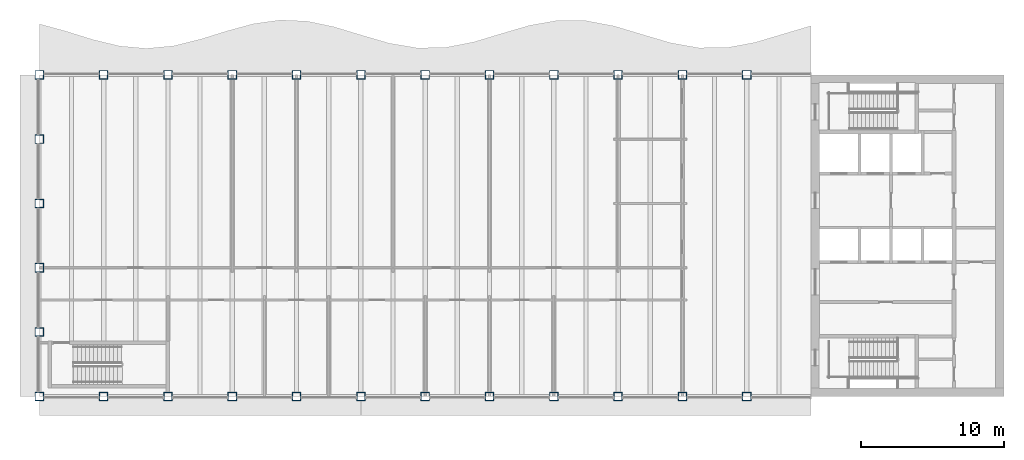
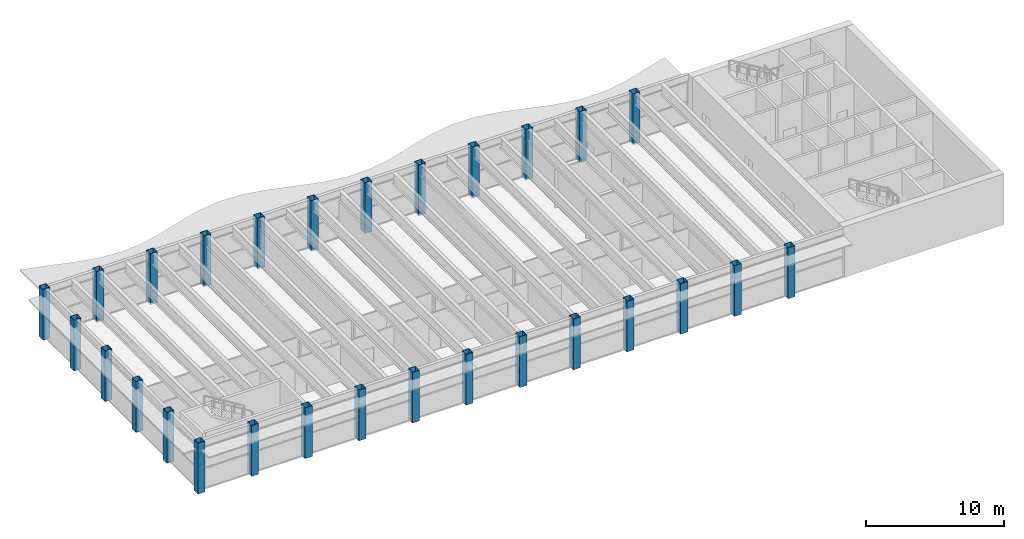
# One storey, part 1 of 14: 28 columns.
"""IFC4 building model written with IfcOpenShell, lengths in metres."""

from ifc_helpers import new_model, si_unit, direction, frame, origin, origin_2d, place, context, subcontext, project, spatial, hollow_rectangle, extrude, material, material_profile, profile_set, type_object, element, save


model = new_model("IFC4")

# Units and contexts
model_context = context("Model", 3, precision=1e-05, world=origin(), true_north=direction((0.0, 1.0)))
body_context = subcontext(model_context, "Body", "Model", "MODEL_VIEW")
ifc_project = project(units=[si_unit("LENGTHUNIT", "METRE"), si_unit("AREAUNIT", "SQUARE_METRE"), si_unit("VOLUMEUNIT", "CUBIC_METRE"), si_unit("PLANEANGLEUNIT", "RADIAN"), si_unit("MASSUNIT", "GRAM", prefix="KILO")], contexts=[model_context])

# Site, building, storey
site_placement = place(None, origin())
site = spatial("IfcSite", under=ifc_project, at=site_placement, CompositionType="ELEMENT")
building_placement = place(site_placement, origin())
building = spatial("IfcBuilding", under=site, at=building_placement, Name="Sennacour Bend Tower", CompositionType="ELEMENT")
storey_placement = place(building_placement, frame((0.0, 0.0, 336.5)))
storey = spatial("IfcBuildingStorey", under=building, at=storey_placement, Name="L77", CompositionType="ELEMENT", Elevation=336.5)

# Columns
ifc_material = material(Name="Steel ASTM A572 Grade 50", Category="steel")
ifc_material_profile = material_profile(ifc_material, hollow_rectangle(XDim=0.60009765625, YDim=0.60009765625, WallThickness=0.030029296875, at=origin_2d()), Name="Steel ASTM A572 Grade 50", Category="steel")
ifc_profile_set = profile_set([ifc_material_profile], Name="Steel ASTM A572 Grade 50")
column_type = type_object("IfcColumnType", Name="Box column 600", PredefinedType="COLUMN", material=ifc_profile_set)
for number, where, z_axis, x_axis, name in (
    (1, (0.0, 0.0, -0.14990234375), (0.0, 0.0, 1.0), (1.0, 0.0, 0.0), "Perimeter column C6 L77-001"),
    (2, (0.0, 4.5, -0.14990234375), (0.0, 0.0, 1.0), (1.0, 0.0, 0.0), "Perimeter column C6 L77-002"),
    (3, (0.0, 9.0, -0.14990234375), (0.0, 0.0, 1.0), (1.0, 0.0, 0.0), "Perimeter column C6 L77-003"),
    (4, (0.0, 13.5, -0.14990234375), (0.0, 0.0, 1.0), (1.0, 0.0, 0.0), "Perimeter column C6 L77-004"),
    (5, (0.0, 18.0, -0.14990234375), (0.0, 0.0, 1.0), (1.0, 0.0, 0.0), "Perimeter column C6 L77-005"),
    (6, (0.0, 22.5, -0.14990234375), (0.0, 0.0, 1.0), (1.0, 0.0, 0.0), "Perimeter column C6 L77-006"),
    (7, (4.5, 0.0, -0.14990234375), (0.0, 0.0, 1.0), (1.0, 0.0, 0.0), "Perimeter column C6 L77-007"),
    (8, (4.5, 22.5, -0.14990234375), (0.0, 0.0, 1.0), (1.0, 0.0, 0.0), "Perimeter column C6 L77-008"),
    (9, (9.0, 0.0, -0.14990234375), (0.0, 0.0, 1.0), (1.0, 0.0, 0.0), "Perimeter column C6 L77-009"),
    (10, (9.0, 22.5, -0.14990234375), (0.0, 0.0, 1.0), (1.0, 0.0, 0.0), "Perimeter column C6 L77-010"),
    (11, (13.5, 0.0, -0.14990234375), (0.0, 0.0, 1.0), (1.0, 0.0, 0.0), "Perimeter column C6 L77-011"),
    (12, (13.5, 22.5, -0.14990234375), (0.0, 0.0, 1.0), (1.0, 0.0, 0.0), "Perimeter column C6 L77-012"),
    (13, (18.0, 0.0, -0.14990234375), (0.0, 0.0, 1.0), (1.0, 0.0, 0.0), "Perimeter column C6 L77-013"),
    (14, (18.0, 22.5, -0.14990234375), (0.0, 0.0, 1.0), (1.0, 0.0, 0.0), "Perimeter column C6 L77-014"),
    (15, (22.5, 0.0, -0.14990234375), (0.0, 0.0, 1.0), (1.0, 0.0, 0.0), "Perimeter column C6 L77-015"),
    (16, (22.5, 22.5, -0.14990234375), (0.0, 0.0, 1.0), (1.0, 0.0, 0.0), "Perimeter column C6 L77-016"),
    (17, (27.0, 0.0, -0.14990234375), (0.0, 0.0, 1.0), (1.0, 0.0, 0.0), "Perimeter column C6 L77-017"),
    (18, (27.0, 22.5, -0.14990234375), (0.0, 0.0, 1.0), (1.0, 0.0, 0.0), "Perimeter column C6 L77-018"),
    (19, (31.5, 0.0, -0.14990234375), (0.0, 0.0, 1.0), (1.0, 0.0, 0.0), "Perimeter column C6 L77-019"),
    (20, (31.5, 22.5, -0.14990234375), (0.0, 0.0, 1.0), (1.0, 0.0, 0.0), "Perimeter column C6 L77-020"),
    (21, (36.0, 0.0, -0.14990234375), (0.0, 0.0, 1.0), (1.0, 0.0, 0.0), "Perimeter column C6 L77-021"),
    (22, (36.0, 22.5, -0.14990234375), (0.0, 0.0, 1.0), (1.0, 0.0, 0.0), "Perimeter column C6 L77-022"),
    (23, (40.5, 0.0, -0.14990234375), (0.0, 0.0, 1.0), (1.0, 0.0, 0.0), "Perimeter column C6 L77-023"),
    (24, (40.5, 22.5, -0.14990234375), (0.0, 0.0, 1.0), (1.0, 0.0, 0.0), "Perimeter column C6 L77-024"),
    (25, (45.0, 0.0, -0.14990234375), (0.0, 0.0, 1.0), (1.0, 0.0, 0.0), "Perimeter column C6 L77-025"),
    (26, (45.0, 22.5, -0.14990234375), (0.0, 0.0, 1.0), (1.0, 0.0, 0.0), "Perimeter column C6 L77-026"),
    (27, (49.5, 0.0, -0.14990234375), (0.0, 0.0, 1.0), (1.0, 0.0, 0.0), "Perimeter column C6 L77-027"),
    (28, (49.5, 22.5, -0.14990234375), (0.0, 0.0, 1.0), (1.0, 0.0, 0.0), "Perimeter column C6 L77-028"),
):
    element("IfcColumn", number, at=place(storey_placement, frame(where, z_axis=z_axis, x_axis=x_axis)), inside=storey, type_object=column_type, Name=name, PredefinedType="COLUMN", context=body_context, shape_type="SweptSolid", body=[
        extrude(hollow_rectangle(XDim=0.60009765625, YDim=0.60009765625, WallThickness=0.030029296875, at=origin_2d()), origin(), (0.0, 0.0, 1.0), 4.5),
    ])

save(model, "model.ifc")
